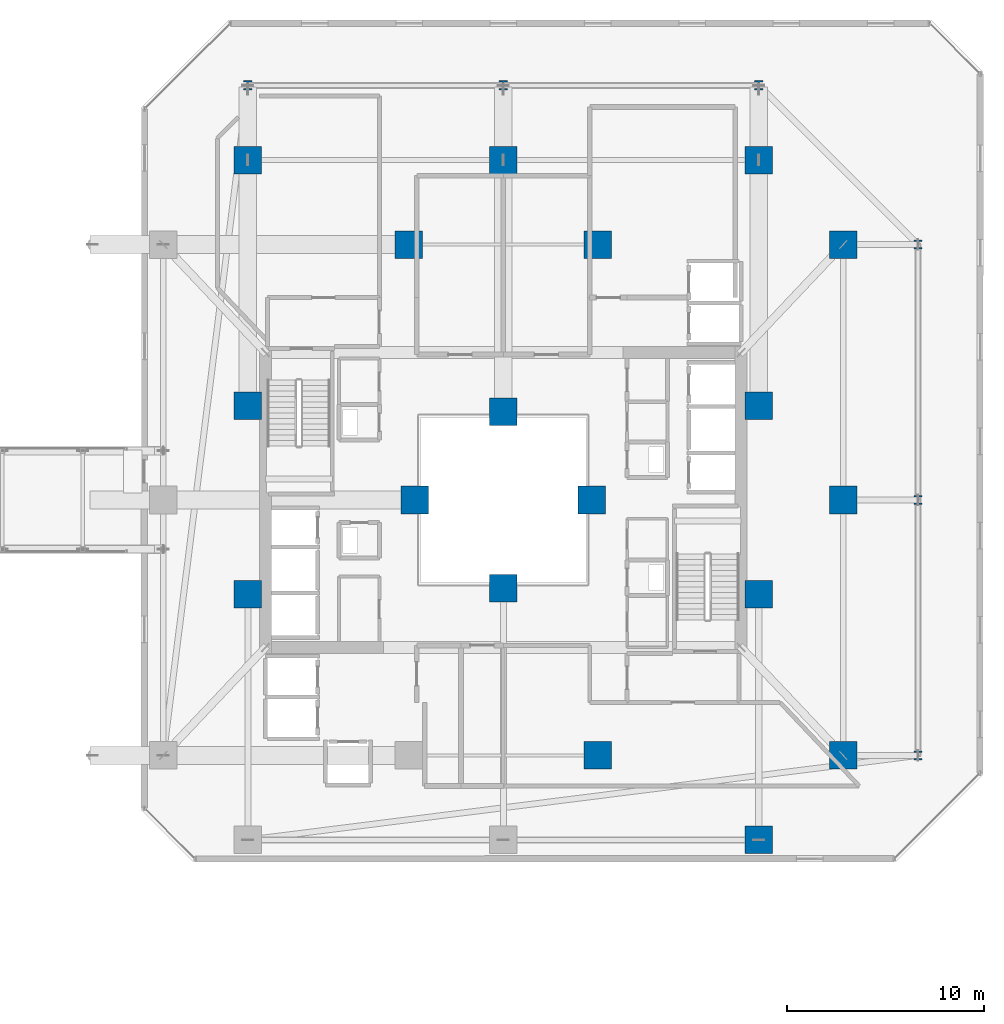
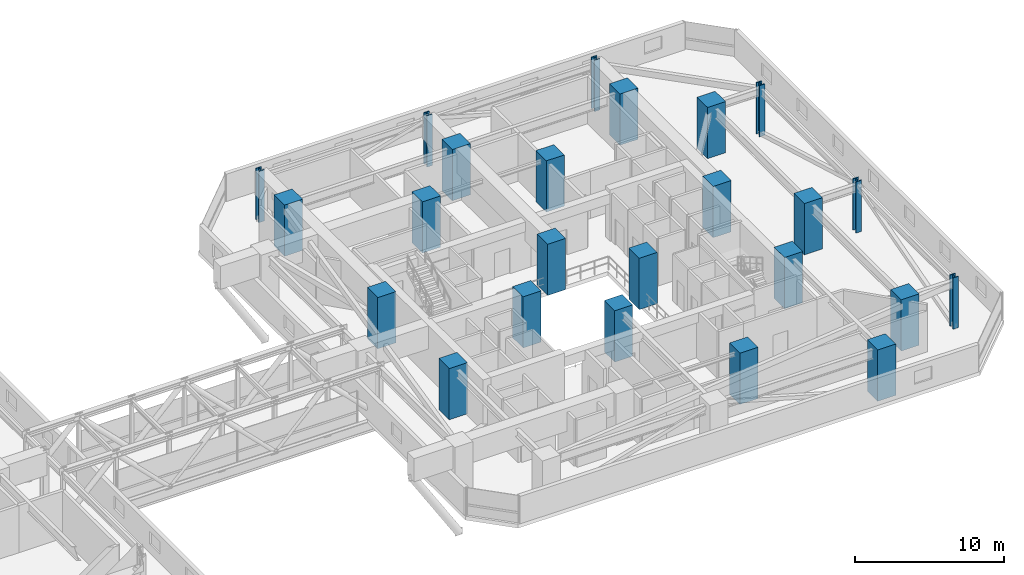
# One storey, part 2 of 38: 24 columns.
"""IFC4 building model written with IfcOpenShell, lengths in metres."""

import ifcopenshell
import ifcopenshell.guid

model = None  # the IFC model being written
_history = None  # IfcOwnerHistory: only IFC2X3 demands one
_inside = {}  # id of a spatial element -> (the spatial element, [elements in it])
_under = {}  # id of a project, library or spatial element -> (it, [spatial elements below it])
_declared = {}  # id of a project -> (the project, [libraries it declares])
_typed = {}  # id of a type object -> (the type object, [elements of that type])
_made_of = {}  # id of a material, layer set ... -> (it, [elements and type objects made of it])


def new_model(schema):
    """Start an empty IFC model of exactly this schema.

    Asked for "IFC4X3", IfcOpenShell would pick the latest addendum, in which some entities
    have other attributes; the version numbers below select the first issue.
    IFC2X3 requires an IfcOwnerHistory on every rooted entity: one is made here for all.
    """
    global model, _history
    if schema == "IFC4X3":
        model = ifcopenshell.file(schema_version=(4, 3, 0, 0))
    else:
        model = ifcopenshell.file(schema=schema)
    _inside.clear()
    _under.clear()
    _declared.clear()
    _typed.clear()
    _made_of.clear()
    _history = None
    if model.schema == "IFC2X3":
        org = make("IfcOrganization", Name="unknown")
        user = make(
            "IfcPersonAndOrganization",
            ThePerson=make("IfcPerson", FamilyName="unknown"),
            TheOrganization=org,
        )
        app = make(
            "IfcApplication",
            ApplicationDeveloper=org,
            Version="unknown",
            ApplicationFullName="unknown",
            ApplicationIdentifier="unknown",
        )
        _history = make(
            "IfcOwnerHistory",
            OwningUser=user,
            OwningApplication=app,
            ChangeAction="ADDED",
            CreationDate=0,
        )
    return model


def make(cls, **values):
    """One entity of the class cls with the attributes given. An attribute that is None is left unset."""
    return model.create_entity(
        cls, **{name: value for name, value in values.items() if value is not None}
    )


def rooted(cls, **values):
    """An entity with a GlobalId (a new one), such as an element, a storey or a relation."""
    return make(cls, GlobalId=ifcopenshell.guid.new(), OwnerHistory=_history, **values)


def si_unit(unit_type, name, prefix=None):
    """IfcSIUnit, for example si_unit("LENGTHUNIT", "METRE", prefix="MILLI")."""
    return make("IfcSIUnit", UnitType=unit_type, Prefix=prefix, Name=name)


def assignment(units):
    """IfcUnitAssignment: the units of a project."""
    return None if units is None else make("IfcUnitAssignment", Units=units)


def point(xyz):
    """IfcCartesianPoint."""
    return None if xyz is None else make("IfcCartesianPoint", Coordinates=xyz)


def direction(xyz):
    """IfcDirection."""
    return None if xyz is None else make("IfcDirection", DirectionRatios=xyz)


def frame(location, z_axis=None, x_axis=None):
    """IfcAxis2Placement3D, a coordinate frame: its origin and axes. An axis left out is left unset."""
    return make(
        "IfcAxis2Placement3D",
        Location=point(location),
        Axis=direction(z_axis),
        RefDirection=direction(x_axis),
    )


def frame_2d(location, x_axis=None):
    """IfcAxis2Placement2D, a coordinate frame in the plane: its origin and x axis."""
    return make(
        "IfcAxis2Placement2D", Location=point(location), RefDirection=direction(x_axis)
    )


def origin():
    """The frame at (0, 0, 0) with its axes left unset."""
    return frame((0.0, 0.0, 0.0))


def origin_2d():
    """The frame at (0, 0) in the plane with its x axis left unset."""
    return frame_2d((0.0, 0.0))


def place(relative_to, where):
    """IfcLocalPlacement: puts the frame where relative to a parent placement (None: the world)."""
    return make(
        "IfcLocalPlacement", PlacementRelTo=relative_to, RelativePlacement=where
    )


def context(
    kind, dimensions, precision=None, world=None, true_north=None, identifier=None
):
    """IfcGeometricRepresentationContext, for example the 3D "Model" context."""
    return make(
        "IfcGeometricRepresentationContext",
        ContextIdentifier=identifier,
        ContextType=kind,
        CoordinateSpaceDimension=dimensions,
        Precision=precision,
        WorldCoordinateSystem=world,
        TrueNorth=true_north,
    )


def subcontext(parent, identifier, kind, view, scale=None):
    """IfcGeometricRepresentationSubContext, for example "Body" below "Model"."""
    return make(
        "IfcGeometricRepresentationSubContext",
        ContextIdentifier=identifier,
        ContextType=kind,
        ParentContext=parent,
        TargetScale=scale,
        TargetView=view,
    )


def project(units=None, contexts=None):
    """IfcProject with its units and contexts."""
    return rooted(
        "IfcProject",
        Name="project",
        RepresentationContexts=contexts,
        UnitsInContext=assignment(units),
    )


def spatial(cls, under=None, at=None, **own):
    """A site, building, storey or space (cls), placed at a placement, below another one or the project."""
    s = rooted(cls, ObjectPlacement=at, **own)
    if under is not None:
        _under.setdefault(under.id(), (under, []))[1].append(s)
    return s


def profile(cls, at=None, kind="AREA", **sizes):
    """A parametric profile (cls). Its sizes go by their IFC names, for example OverallWidth=200.0."""
    return make(cls, ProfileType=kind, Position=at, **sizes)


def rectangle(**sizes):
    """IfcRectangleProfileDef."""
    return profile("IfcRectangleProfileDef", **sizes)


def i_section(**sizes):
    """IfcIShapeProfileDef."""
    return profile("IfcIShapeProfileDef", **sizes)


def extrude(swept, where, along, depth):
    """IfcExtrudedAreaSolid: the profile swept, set in the frame where, extruded along a direction by depth."""
    return make(
        "IfcExtrudedAreaSolid",
        SweptArea=swept,
        Position=where,
        ExtrudedDirection=direction(along),
        Depth=depth,
    )


def shape(context_of_items, identifier, shape_type, items):
    """IfcShapeRepresentation: the items that make up one representation, for example the "Body"."""
    return make(
        "IfcShapeRepresentation",
        ContextOfItems=context_of_items,
        RepresentationIdentifier=identifier,
        RepresentationType=shape_type,
        Items=items,
    )


def material(Name=None, Category=None):
    """IfcMaterial."""
    return make("IfcMaterial", Name=Name, Category=Category)


def material_profile(
    of_material, cross_section, Name=None, Category=None, Priority=None
):
    """IfcMaterialProfile: a cross section and its material."""
    return make(
        "IfcMaterialProfile",
        Name=Name,
        Material=of_material,
        Profile=cross_section,
        Priority=Priority,
        Category=Category,
    )


def profile_set(profiles, Name=None, composite=None):
    """IfcMaterialProfileSet."""
    return make(
        "IfcMaterialProfileSet",
        Name=Name,
        MaterialProfiles=profiles,
        CompositeProfile=composite,
    )


def made_of(thing, what):
    """Note that an element or type object is made of a material, layer set ...; save() writes the relation."""
    if what is not None:
        _made_of.setdefault(what.id(), (what, []))[1].append(thing)
    return thing


def type_object(cls, material=None, **own):
    """A type object (cls), such as IfcWallType, which elements share."""
    return made_of(rooted(cls, **own), material)


def element(
    cls,
    number,
    at=None,
    inside=None,
    cuts=None,
    type_object=None,
    material=None,
    context=None,
    identifier="Body",
    shape_type=None,
    held_by="IfcProductDefinitionShape",
    body=None,
    shapes=None,
    **own,
):
    """One element of the class cls, such as IfcWall. Its Tag is "e" and its number.

    at: its placement. inside: the storey or other place that contains it. cuts: it is an
    opening in that element (IfcRelVoidsElement). A single representation is given by context,
    identifier, shape_type and body (its items); several are given by shapes. held_by: the class
    of the entity that holds the representations. save() writes the other relations.
    """
    e = rooted(cls, Tag="e%d" % number, ObjectPlacement=at, **own)
    if body is not None:
        shapes = [shape(context, identifier, shape_type, body)]
    if shapes is not None:
        e.Representation = make(held_by, Representations=shapes)
    if inside is not None:
        _inside.setdefault(inside.id(), (inside, []))[1].append(e)
    if cuts is not None:
        rooted(
            "IfcRelVoidsElement", RelatingBuildingElement=cuts, RelatedOpeningElement=e
        )
    if type_object is not None:
        _typed.setdefault(type_object.id(), (type_object, []))[1].append(e)
    return made_of(e, material)


def aggregate(whole, parts):
    """IfcRelAggregates: a whole, such as a stair, and the parts it consists of."""
    return rooted("IfcRelAggregates", RelatingObject=whole, RelatedObjects=parts)


def save(model, path):
    """Write the relations noted so far, then the file.

    IfcRelAggregates (storeys below a building ...), IfcRelContainedInSpatialStructure (elements
    in a storey), IfcRelDefinesByType, IfcRelAssociatesMaterial and IfcRelDeclares: one each for
    every whole, place, type object, material and project.
    """
    for whole, parts in _under.values():
        aggregate(whole, parts)
    for where, things in _inside.values():
        rooted(
            "IfcRelContainedInSpatialStructure",
            RelatedElements=things,
            RelatingStructure=where,
        )
    for kind, things in _typed.values():
        rooted("IfcRelDefinesByType", RelatedObjects=things, RelatingType=kind)
    for what, things in _made_of.values():
        rooted("IfcRelAssociatesMaterial", RelatedObjects=things, RelatingMaterial=what)
    for by, libraries in _declared.values():
        rooted("IfcRelDeclares", RelatingContext=by, RelatedDefinitions=libraries)
    model.write(path)


model = new_model("IFC4")

# Units and contexts
model_context = context("Model", 3, precision=1e-05, world=origin(), true_north=direction((0.0, 1.0)))
body_context = subcontext(model_context, "Body", "Model", "MODEL_VIEW")
ifc_project = project(units=[si_unit("LENGTHUNIT", "METRE"), si_unit("AREAUNIT", "SQUARE_METRE"), si_unit("VOLUMEUNIT", "CUBIC_METRE"), si_unit("PLANEANGLEUNIT", "RADIAN"), si_unit("MASSUNIT", "GRAM", prefix="KILO")], contexts=[model_context])

# Site, building, storey
site_placement = place(None, origin())
site = spatial("IfcSite", under=ifc_project, at=site_placement, CompositionType="ELEMENT")
building_placement = place(site_placement, origin())
building = spatial("IfcBuilding", under=site, at=building_placement, Name="Thornwick Lancets Civic Towers", CompositionType="ELEMENT")
storey_placement = place(building_placement, frame((0.0, 0.0, 71.699951171875)))
storey = spatial("IfcBuildingStorey", under=building, at=storey_placement, Name="L18", CompositionType="ELEMENT", Elevation=71.699951171875)

# Columns
ifc_material_1 = material(Name="Concrete C60/75", Category="concrete")
ifc_material_profile_1 = material_profile(ifc_material_1, rectangle(XDim=1.39990234375, YDim=1.39990234375, at=origin_2d()), Name="RC 1400x1400")
ifc_profile_set_1 = profile_set([ifc_material_profile_1], Name="Concrete C60/75")
column_type_1 = type_object("IfcColumnType", Name="COL_RC_1400", PredefinedType="COLUMN", material=ifc_profile_set_1)
for number, where, z_axis, x_axis, name in (
    (1, (105.800048828125, 14.0, 0.0), (0.0, 0.0, 1.0), (1.0, 0.0, 0.0), "L18 Spine Mega-Column B01"),
    (2, (105.800048828125, 27.0, 0.0), (0.0, 0.0, 1.0), (1.0, 0.0, 0.0), "L18 Spine Mega-Column B02"),
    (3, (105.800048828125, 40.0, 0.0), (0.0, 0.0, 1.0), (1.0, 0.0, 0.0), "L18 Spine Mega-Column B03"),
    (4, (101.5, 44.300048828125, 0.0), (0.0, 0.0, 1.0), (1.0, 0.0, 0.0), "L18 Spine Mega-Column B04"),
    (5, (88.5, 44.300048828125, 0.0), (0.0, 0.0, 1.0), (1.0, 0.0, 0.0), "L18 Spine Mega-Column B05"),
    (6, (75.5, 44.300048828125, 0.0), (0.0, 0.0, 1.0), (1.0, 0.0, 0.0), "L18 Spine Mega-Column B06"),
    (7, (101.5, 9.699951171875, 0.0), (0.0, 0.0, 1.0), (1.0, 0.0, 0.0), "L18 Spine Mega-Column B10"),
    (8, (93.300048828125, 14.0, 0.0), (0.0, 0.0, 1.0), (1.0, 0.0, 0.0), "L18 Spine Mega-Column B13"),
    (9, (93.300048828125, 40.0, 0.0), (0.0, 0.0, 1.0), (1.0, 0.0, 0.0), "L18 Spine Mega-Column B14"),
    (10, (83.699951171875, 40.0, 0.0), (0.0, 0.0, 1.0), (1.0, 0.0, 0.0), "L18 Spine Mega-Column B16"),
    (11, (101.5, 22.199951171875, 0.0), (0.0, 0.0, 1.0), (1.0, 0.0, 0.0), "L18 Spine Mega-Column B17"),
    (12, (101.5, 31.800048828125, 0.0), (0.0, 0.0, 1.0), (1.0, 0.0, 0.0), "L18 Spine Mega-Column B18"),
    (13, (75.5, 22.199951171875, 0.0), (0.0, 0.0, 1.0), (1.0, 0.0, 0.0), "L18 Spine Mega-Column B19"),
    (14, (75.5, 31.800048828125, 0.0), (0.0, 0.0, 1.0), (1.0, 0.0, 0.0), "L18 Spine Mega-Column B20"),
    (15, (93.0, 27.0, 0.0), (0.0, 0.0, 1.0), (1.0, 0.0, 0.0), "L18 Spine Mega-Column B21"),
    (16, (84.0, 27.0, 0.0), (0.0, 0.0, 1.0), (1.0, 0.0, 0.0), "L18 Spine Mega-Column B22"),
    (17, (88.5, 22.5, 0.0), (0.0, 0.0, 1.0), (1.0, 0.0, 0.0), "L18 Spine Mega-Column B23"),
    (18, (88.5, 31.5, 0.0), (0.0, 0.0, 1.0), (1.0, 0.0, 0.0), "L18 Spine Mega-Column B24"),
):
    element("IfcColumn", number, at=place(storey_placement, frame(where, z_axis=z_axis, x_axis=x_axis)), inside=storey, type_object=column_type_1, Name=name, PredefinedType="COLUMN", context=body_context, shape_type="SweptSolid", body=[
        extrude(rectangle(XDim=1.39990234375, YDim=1.39990234375, at=origin_2d()), origin(), (0.0, 0.0, 1.0), 4.199951171875),
    ])
ifc_material_2 = material(Name="Steel S460M", Category="steel")
ifc_material_profile_2 = material_profile(ifc_material_2, i_section(OverallWidth=0.424072265625, OverallDepth=0.474609375, WebThickness=0.047607421875, FlangeThickness=0.076904296875, FilletRadius=0.01513671875, at=origin_2d()), Name="UKC 356x406x634")
ifc_profile_set_2 = profile_set([ifc_material_profile_2], Name="Steel S460M")
column_type_2 = type_object("IfcColumnType", Name="COL_UKC_634", PredefinedType="COLUMN", material=ifc_profile_set_2)
for number, where, z_axis, x_axis, name in (
    (19, (109.60009765625, 14.0, 0.0), (0.0, 0.0, 1.0), (1.0, 0.0, 0.0), "L18 Block Perimeter Column B01"),
    (20, (109.60009765625, 27.0, 0.0), (0.0, 0.0, 1.0), (1.0, 0.0, 0.0), "L18 Block Perimeter Column B02"),
    (21, (109.60009765625, 40.0, 0.0), (0.0, 0.0, 1.0), (1.0, 0.0, 0.0), "L18 Block Perimeter Column B03"),
    (22, (101.5, 48.10009765625, 0.0), (0.0, 0.0, 1.0), (1.0, 0.0, 0.0), "L18 Block Perimeter Column B04"),
    (23, (88.5, 48.10009765625, 0.0), (0.0, 0.0, 1.0), (1.0, 0.0, 0.0), "L18 Block Perimeter Column B05"),
    (24, (75.5, 48.10009765625, 0.0), (0.0, 0.0, 1.0), (1.0, 0.0, 0.0), "L18 Block Perimeter Column B06"),
):
    element("IfcColumn", number, at=place(storey_placement, frame(where, z_axis=z_axis, x_axis=x_axis)), inside=storey, type_object=column_type_2, Name=name, PredefinedType="COLUMN", context=body_context, shape_type="SweptSolid", body=[
        extrude(i_section(OverallWidth=0.424072265625, OverallDepth=0.474609375, WebThickness=0.047607421875, FlangeThickness=0.076904296875, FilletRadius=0.01513671875, at=origin_2d()), origin(), (0.0, 0.0, 1.0), 4.199951171875),
    ])

save(model, "model.ifc")
